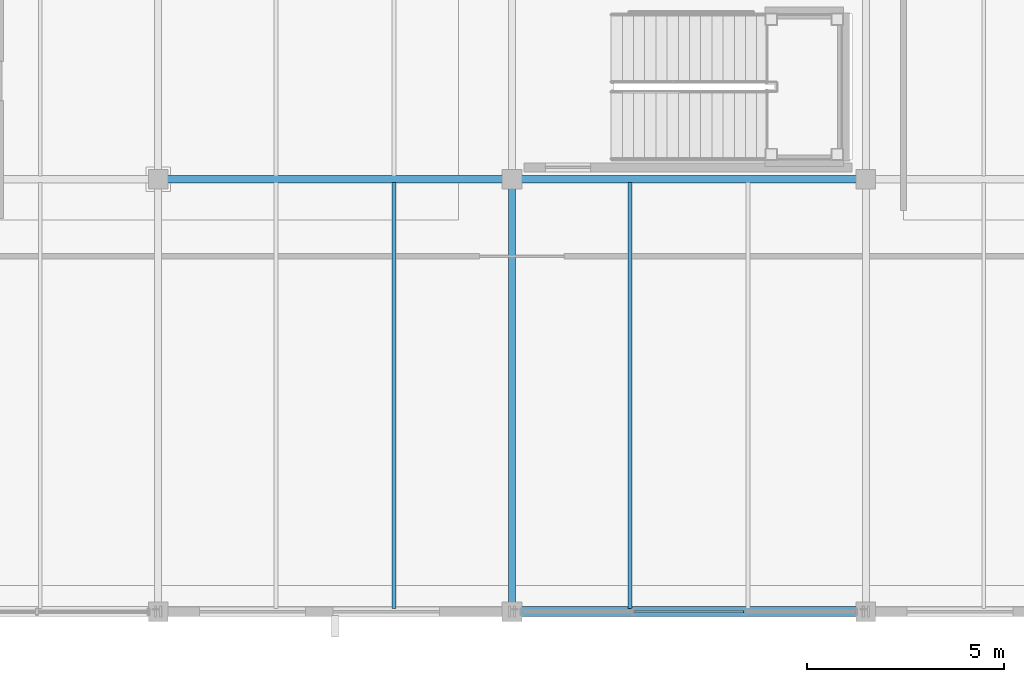
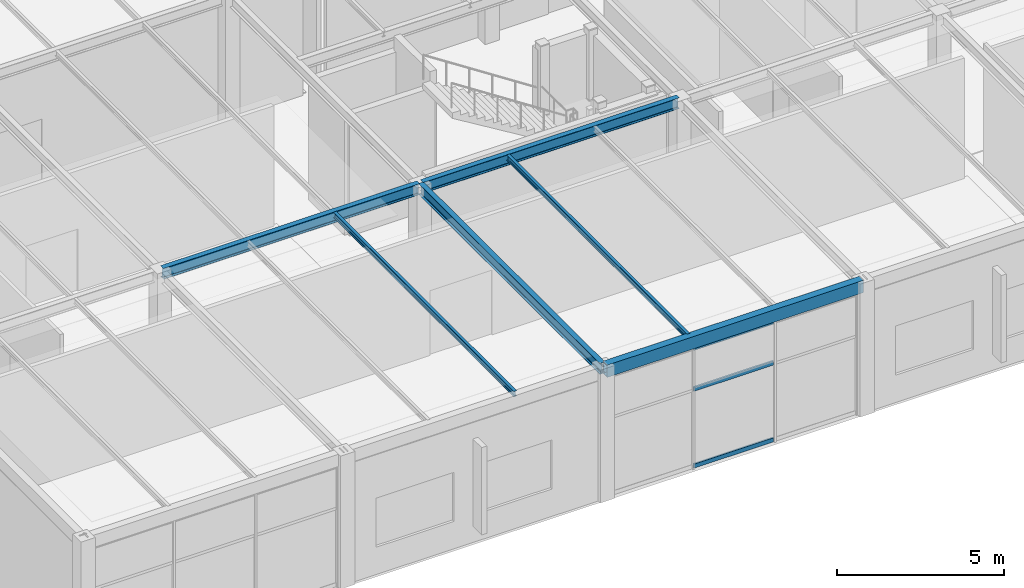
# One storey, part 63 of 195: 6 beams, 3 members, 1 element without a shape of its own.
"""IFC4 building model written with IfcOpenShell, lengths in metres."""

from ifc_helpers import new_model, si_unit, direction, frame, origin, origin_2d, place, context, subcontext, project, spatial, hollow_rectangle, i_section, extrude, material, layer, layer_set, material_profile, profile_set, type_object, element, aggregate, save


model = new_model("IFC4")

# Units and contexts
model_context = context("Model", 3, precision=1e-05, world=origin(), true_north=direction((0.0, 1.0)))
body_context = subcontext(model_context, "Body", "Model", "MODEL_VIEW")
ifc_project = project(units=[si_unit("LENGTHUNIT", "METRE"), si_unit("AREAUNIT", "SQUARE_METRE"), si_unit("VOLUMEUNIT", "CUBIC_METRE"), si_unit("PLANEANGLEUNIT", "RADIAN"), si_unit("MASSUNIT", "GRAM", prefix="KILO")], contexts=[model_context])

# Site, building, storey
site_placement = place(None, origin())
site = spatial("IfcSite", under=ifc_project, at=site_placement, CompositionType="ELEMENT")
building_placement = place(site_placement, origin())
building = spatial("IfcBuilding", under=site, at=building_placement, Name="Marlcrest Central Station", CompositionType="ELEMENT")
storey_placement = place(building_placement, frame((0.0, 0.0, 9.800048828125)))
storey = spatial("IfcBuildingStorey", under=building, at=storey_placement, Name="L02", CompositionType="ELEMENT", Elevation=9.800048828125)

# Beams
ifc_material_1 = material(Name="Steel S355", Category="steel")
ifc_material_profile_1 = material_profile(ifc_material_1, i_section(OverallWidth=0.179931640625, OverallDepth=0.39990234375, WebThickness=0.008544921875, FlangeThickness=0.013427734375, FilletRadius=0.02099609375, at=origin_2d()), Name="IPE 400")
ifc_profile_set_1 = profile_set([ifc_material_profile_1], Name="Steel S355")
beam_type_1 = type_object("IfcBeamType", Name="BM-03", PredefinedType="BEAM", material=ifc_profile_set_1)
for number, where, z_axis, x_axis, name in (
    (1, (162.06005859375, 11.0, 4.669921875), (1.0, 0.0, 0.0), (0.0, 1.0, 0.0), "bm-BM-03-L02-00962"),
    (2, (171.06005859375, 11.0, 4.669921875), (1.0, 0.0, 0.0), (0.0, 1.0, 0.0), "bm-BM-03-L02-00963"),
):
    element("IfcBeam", number, at=place(storey_placement, frame(where, z_axis=z_axis, x_axis=x_axis)), inside=storey, type_object=beam_type_1, Name=name, PredefinedType="BEAM", context=body_context, shape_type="SweptSolid", body=[
        extrude(i_section(OverallWidth=0.179931640625, OverallDepth=0.39990234375, WebThickness=0.008544921875, FlangeThickness=0.013427734375, FilletRadius=0.02099609375, at=origin_2d()), origin(), (0.0, 0.0, 1.0), 8.8798828125),
    ])
beam_1_placement = place(storey_placement, frame((171.0, 0.06005859375, 4.669921875), z_axis=(0.0, 1.0, 0.0), x_axis=(-1.0, 0.0, 0.0)))
element("IfcBeam", 3, at=beam_1_placement, inside=storey, type_object=beam_type_1, Name="bm-BM-03-L02-00985", PredefinedType="BEAM", context=body_context, shape_type="SweptSolid", body=[
    extrude(i_section(OverallWidth=0.179931640625, OverallDepth=0.39990234375, WebThickness=0.008544921875, FlangeThickness=0.013427734375, FilletRadius=0.02099609375, at=origin_2d()), origin(), (0.0, 0.0, 1.0), 10.8798828125),
])
ifc_material_profile_2 = material_profile(ifc_material_1, i_section(OverallWidth=0.10009765625, OverallDepth=0.199951171875, WebThickness=0.005615234375, FlangeThickness=0.008544921875, FilletRadius=0.011962890625, at=origin_2d()), Name="IPE 200")
ifc_profile_set_2 = profile_set([ifc_material_profile_2], Name="Steel S355")
beam_type_2 = type_object("IfcBeamType", Name="JS-01", PredefinedType="JOIST", material=ifc_profile_set_2)
for number, where, z_axis, x_axis, name in (
    (4, (168.0, 0.0830078125, 4.77001953125), (0.0, 1.0, 0.0), (-1.0, 0.0, 0.0), "bm-JS-01-L02-01009"),
    (5, (174.0, 0.0830078125, 4.77001953125), (0.0, 1.0, 0.0), (-1.0, 0.0, 0.0), "bm-JS-01-L02-01012"),
):
    element("IfcBeam", number, at=place(storey_placement, frame(where, z_axis=z_axis, x_axis=x_axis)), inside=storey, type_object=beam_type_2, Name=name, PredefinedType="JOIST", context=body_context, shape_type="SweptSolid", body=[
        extrude(i_section(OverallWidth=0.10009765625, OverallDepth=0.199951171875, WebThickness=0.005615234375, FlangeThickness=0.008544921875, FilletRadius=0.011962890625, at=origin_2d()), origin(), (0.0, 0.0, 1.0), 10.833984375),
    ])
ifc_material_profile_3 = material_profile(ifc_material_1, hollow_rectangle(XDim=0.25, YDim=0.449951171875, WallThickness=0.01611328125, at=origin_2d()), Name="RHS 450x250x16")
ifc_profile_set_3 = profile_set([ifc_material_profile_3], Name="Steel S355")
beam_type_3 = type_object("IfcBeamType", Name="SP-02", PredefinedType="SPANDREL", material=ifc_profile_set_3)
beam_2_placement = place(storey_placement, frame((171.06005859375, 0.0, 4.64501953125), z_axis=(1.0, 0.0, 0.0), x_axis=(0.0, 1.0, 0.0)))
element("IfcBeam", 6, at=beam_2_placement, inside=storey, type_object=beam_type_3, Name="bm-SP-02-L02-00957", PredefinedType="SPANDREL", context=body_context, shape_type="SweptSolid", body=[
    extrude(hollow_rectangle(XDim=0.25, YDim=0.449951171875, WallThickness=0.01611328125, at=origin_2d()), origin(), (0.0, 0.0, 1.0), 8.8798828125),
])

# Curtain wall, members
ifc_material_2 = material(Name="Anodised aluminium and hurricane laminated glass", Category="aluminium")
ifc_layer = layer(ifc_material_2, 0.179931640625, Name="CW-S1")
ifc_layer_set = layer_set([ifc_layer], Name="Anodised aluminium and hurricane laminated glass")
curtain_wall_type = type_object("IfcCurtainWallType", Name="CW-S1", PredefinedType="USERDEFINED", material=ifc_layer_set)
curtain_wall_placement = place(storey_placement, origin())
curtain_wall = element("IfcCurtainWall", 7, at=curtain_wall_placement, inside=storey, type_object=curtain_wall_type, Name="cw-L02-0154", ObjectType="STICK_CURTAIN_WALL", PredefinedType="USERDEFINED")
ifc_material_3 = material(Name="Anodised aluminium 6063-T6", Category="aluminium")
ifc_material_profile_4 = material_profile(ifc_material_3, hollow_rectangle(XDim=0.06005859375, YDim=0.14990234375, WallThickness=0.00390625, at=origin_2d()), Name="AA-RHS 150x60x4")
ifc_profile_set_4 = profile_set([ifc_material_profile_4], Name="Anodised aluminium 6063-T6")
member_type = type_object("IfcMemberType", Name="TR-01", PredefinedType="USERDEFINED", material=ifc_profile_set_4)
member_1_placement = place(storey_placement, frame((176.8837890625, 0.0, 0.0400390625), z_axis=(-1.0, 0.0, 0.0), x_axis=(0.0, -1.0, 0.0)))
member_1 = element("IfcMember", 8, at=member_1_placement, type_object=member_type, Name="cw-L02-0154-tr-1-sill", ObjectType="TRANSOM", PredefinedType="USERDEFINED", context=body_context, shape_type="SweptSolid", body=[
    extrude(hollow_rectangle(XDim=0.06005859375, YDim=0.14990234375, WallThickness=0.00390625, at=origin_2d()), origin(), (0.0, 0.0, 1.0), 2.767578125),
])
member_2_placement = place(storey_placement, frame((176.8837890625, 0.0, 2.85400390625), z_axis=(-1.0, 0.0, 0.0), x_axis=(0.0, -1.0, 0.0)))
member_2 = element("IfcMember", 9, at=member_2_placement, type_object=member_type, Name="cw-L02-0154-tr-1-mid", ObjectType="TRANSOM", PredefinedType="USERDEFINED", context=body_context, shape_type="SweptSolid", body=[
    extrude(hollow_rectangle(XDim=0.06005859375, YDim=0.14990234375, WallThickness=0.00390625, at=origin_2d()), origin(), (0.0, 0.0, 1.0), 2.767578125),
])
member_3_placement = place(storey_placement, frame((176.8837890625, 0.0, 4.349853515625), z_axis=(-1.0, 0.0, 0.0), x_axis=(0.0, -1.0, 0.0)))
member_3 = element("IfcMember", 10, at=member_3_placement, type_object=member_type, Name="cw-L02-0154-tr-1-head", ObjectType="TRANSOM", PredefinedType="USERDEFINED", context=body_context, shape_type="SweptSolid", body=[
    extrude(hollow_rectangle(XDim=0.06005859375, YDim=0.14990234375, WallThickness=0.00390625, at=origin_2d()), origin(), (0.0, 0.0, 1.0), 2.767578125),
])
aggregate(curtain_wall, [member_1, member_2, member_3])

save(model, "model.ifc")
